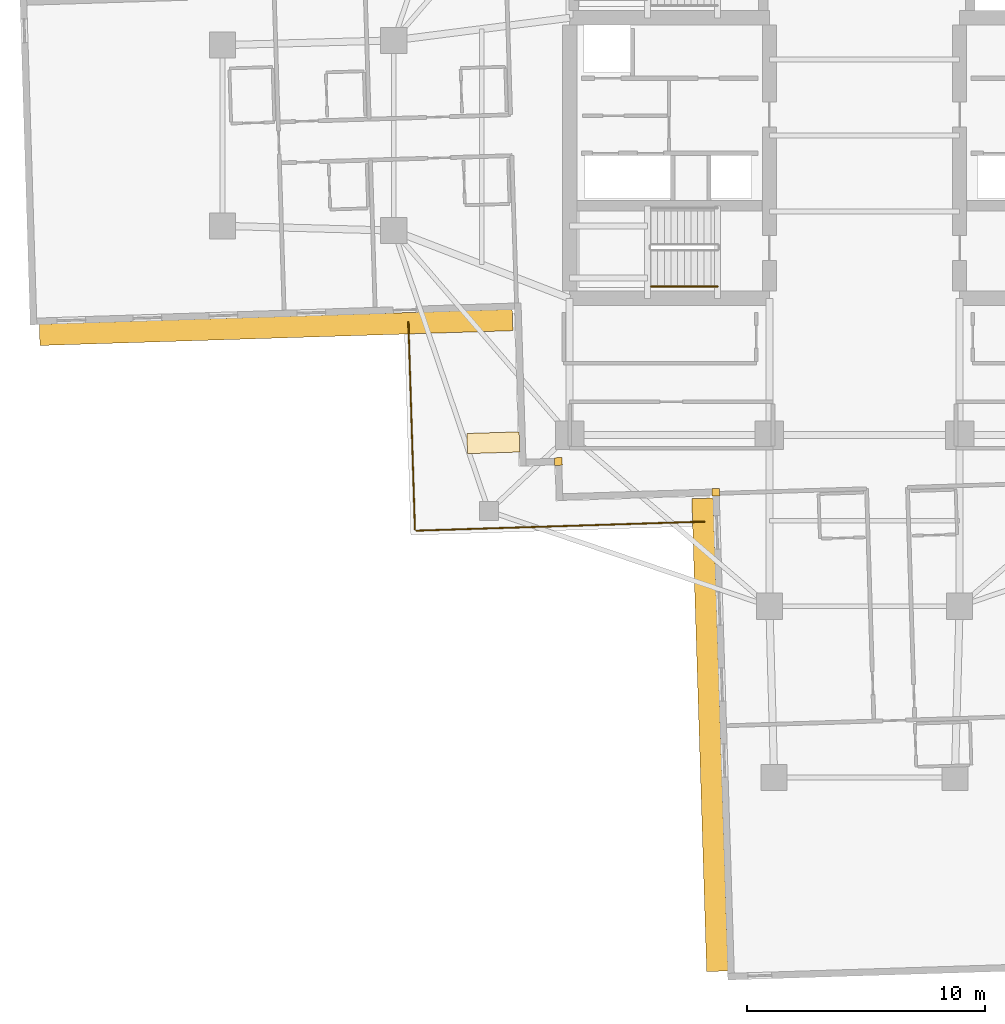
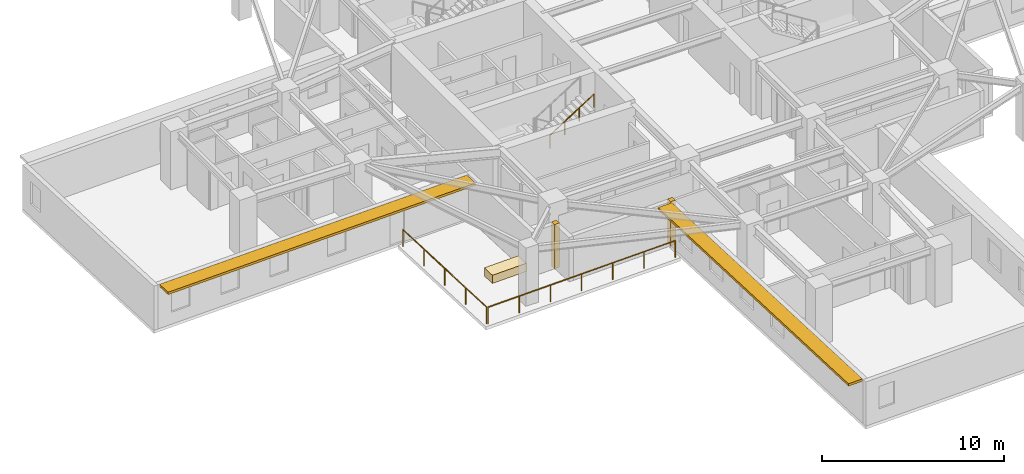
# One storey, part 10 of 14: 3 coverings, 3 railings, 2 shading devices.
"""IFC4 building model written with IfcOpenShell, lengths in metres."""

from ifc_helpers import new_model, si_unit, direction, frame, origin, origin_2d, place, context, subcontext, project, spatial, rectangle, circle, extrude, material, layer, layer_set, type_object, element, save


model = new_model("IFC4")

# Units and contexts
model_context = context("Model", 3, precision=1e-05, world=origin(), true_north=direction((0.0, 1.0)))
body_context = subcontext(model_context, "Body", "Model", "MODEL_VIEW")
ifc_project = project(units=[si_unit("LENGTHUNIT", "METRE"), si_unit("AREAUNIT", "SQUARE_METRE"), si_unit("VOLUMEUNIT", "CUBIC_METRE"), si_unit("PLANEANGLEUNIT", "RADIAN"), si_unit("MASSUNIT", "GRAM", prefix="KILO")], contexts=[model_context])

# Site, building, storey
site_placement = place(None, origin())
site = spatial("IfcSite", under=ifc_project, at=site_placement, CompositionType="ELEMENT")
building_placement = place(site_placement, origin())
building = spatial("IfcBuilding", under=site, at=building_placement, Name="Qingluan Cross Belvedere", CompositionType="ELEMENT")
storey_placement = place(building_placement, frame((0.0, 0.0, 112.5)))
storey = spatial("IfcBuildingStorey", under=building, at=storey_placement, Name="L28", CompositionType="ELEMENT", Elevation=112.5)

# Coverings
ifc_material_1 = material(Name="Precast concrete C45", Category="concrete")
ifc_layer_1 = layer(ifc_material_1, 0.1201171875, Name="ConcreteSpandrelCladding_120")
ifc_layer_set_1 = layer_set([ifc_layer_1], Name="Precast concrete C45")
covering_type_1 = type_object("IfcCoveringType", Name="ConcreteSpandrelCladding_120", PredefinedType="CLADDING", material=ifc_layer_set_1)
for number, where, z_axis, x_axis, name in (
    (1, (-12.875732421875, -13.711181640625, 0.0), (0.0, 0.0, 1.0), (0.999506560366, 0.031410759078, 0.0), "Corner closure L28-SW1"),
    (2, (-6.251708984375, -15.00390625, 0.0), (0.0, 0.0, 1.0), (0.999506560366, 0.031410759078, 0.0), "Corner closure L28-SW2"),
):
    element("IfcCovering", number, at=place(storey_placement, frame(where, z_axis=z_axis, x_axis=x_axis)), inside=storey, type_object=covering_type_1, Name=name, PredefinedType="CLADDING", context=body_context, shape_type="SweptSolid", body=[
        extrude(rectangle(XDim=0.320068359375, YDim=0.320068359375, at=origin_2d()), origin(), (0.0, 0.0, 1.0), 2.969970703125),
    ])

# Shading devices
ifc_material_2 = material(Name="Precast concrete C45", Category="concrete")
ifc_layer_2 = layer(ifc_material_2, 0.159912109375, Name="ConcreteSunshadeBand_900")
ifc_layer_set_2 = layer_set([ifc_layer_2], Name="Precast concrete C45")
shading_device_type = type_object("IfcShadingDeviceType", Name="ConcreteSunshadeBand_900", PredefinedType="USERDEFINED", material=ifc_layer_set_2)
for number, where, z_axis, x_axis, name in (
    (3, (-24.74853515625, -8.0712890625, 2.7900390625), (0.0, 0.0, 1.0), (0.999506649124, 0.031407934627, 0.0), "Concrete SUNSHADE L28-WB"),
    (4, (-6.50146484375, -25.206787109375, 2.7900390625), (0.0, 0.0, 1.0), (0.031407934627, -0.999506649124, 0.0), "Concrete SUNSHADE L28-SA"),
):
    element("IfcShadingDevice", number, at=place(storey_placement, frame(where, z_axis=z_axis, x_axis=x_axis)), inside=storey, type_object=shading_device_type, Name=name, ObjectType="SUNSHADE", PredefinedType="USERDEFINED", context=body_context, shape_type="SweptSolid", body=[
        extrude(rectangle(XDim=19.89990234375, YDim=0.89990234375, at=origin_2d()), origin(), (0.0, 0.0, 1.0), 0.159912109375),
    ])

# Railings
ifc_material_3 = material(Name="Brushed stainless steel tubular handrail", Category="steel")
railing_type_1 = type_object("IfcRailingType", Name="StairPitchHandrail_900", PredefinedType="HANDRAIL", material=ifc_material_3)
railing_1_placement = place(storey_placement, frame((-8.97998046875, -6.35009765625, 2.127197265625)))
element("IfcRailing", 5, at=railing_1_placement, inside=storey, type_object=railing_type_1, Name="L28 ST1 stair handrail 2", PredefinedType="HANDRAIL", context=body_context, shape_type="SweptSolid", body=[
    extrude(circle(Radius=0.02392578125, at=origin_2d()), frame((0.0, 0.0, 0.8759765625), z_axis=(0.844908973607, 0.0, 0.534910110503), x_axis=(0.0, 1.0, 0.0)), (0.0, 0.0, 1.0), 3.31396484375),
    extrude(circle(Radius=0.02099609375, at=origin_2d()), origin(), (0.0, 0.0, 1.0), 0.851806640625),
    extrude(circle(Radius=0.02099609375, at=origin_2d()), frame((0.933349609375, 0.0, 0.5908203125)), (0.0, 0.0, 1.0), 0.851806640625),
    extrude(circle(Radius=0.02099609375, at=origin_2d()), frame((1.86669921875, 0.0, 1.181884765625)), (0.0, 0.0, 1.0), 0.851806640625),
    extrude(circle(Radius=0.02099609375, at=origin_2d()), frame((2.800048828125, 0.0, 1.772705078125)), (0.0, 0.0, 1.0), 0.851806640625),
])
ifc_material_4 = material(Name="Laminated glass and stainless steel balustrade", Category="steel")
railing_type_2 = type_object("IfcRailingType", Name="TerraceGuardBalustrade_1150", PredefinedType="BALUSTRADE", material=ifc_material_4)
railing_2_placement = place(storey_placement, frame((-6.733154296875, -16.239501953125, 0.0)))
element("IfcRailing", 6, at=railing_2_placement, inside=storey, type_object=railing_type_2, Name="Terrace guard L28-1", PredefinedType="BALUSTRADE", context=body_context, shape_type="SweptSolid", body=[
    extrude(circle(Radius=0.02392578125, at=origin_2d()), frame((0.0, 0.0, 1.1259765625), z_axis=(-0.999506795162, -0.031403286853, 0.0), x_axis=(0.031403286853, -0.999506795162, 0.0)), (0.0, 0.0, 1.0), 12.1201171875),
    extrude(circle(Radius=0.02099609375, at=origin_2d()), origin(), (0.0, 0.0, 1.0), 1.101806640625),
    extrude(circle(Radius=0.02099609375, at=origin_2d()), frame((-2.01904296875, -0.0634765625, 0.0)), (0.0, 0.0, 1.0), 1.101806640625),
    extrude(circle(Radius=0.02099609375, at=origin_2d()), frame((-4.0380859375, -0.126953125, 0.0)), (0.0, 0.0, 1.0), 1.101806640625),
    extrude(circle(Radius=0.02099609375, at=origin_2d()), frame((-6.05712890625, -0.1904296875, 0.0)), (0.0, 0.0, 1.0), 1.101806640625),
    extrude(circle(Radius=0.02099609375, at=origin_2d()), frame((-8.076171875, -0.253662109375, 0.0)), (0.0, 0.0, 1.0), 1.101806640625),
    extrude(circle(Radius=0.02099609375, at=origin_2d()), frame((-10.09521484375, -0.317138671875, 0.0)), (0.0, 0.0, 1.0), 1.101806640625),
    extrude(circle(Radius=0.02099609375, at=origin_2d()), frame((-12.1142578125, -0.380615234375, 0.0)), (0.0, 0.0, 1.0), 1.101806640625),
])
railing_3_placement = place(storey_placement, frame((-18.9091796875, -16.562255859375, 0.0)))
element("IfcRailing", 7, at=railing_3_placement, inside=storey, type_object=railing_type_2, Name="Terrace guard L28-2", PredefinedType="BALUSTRADE", context=body_context, shape_type="SweptSolid", body=[
    extrude(circle(Radius=0.02392578125, at=origin_2d()), frame((0.0, 0.0, 1.1259765625), z_axis=(-0.031413061052, 0.999506488021, 0.0), x_axis=(-0.999506488021, -0.031413061052, 0.0)), (0.0, 0.0, 1.0), 8.72021484375),
    extrude(circle(Radius=0.02099609375, at=origin_2d()), origin(), (0.0, 0.0, 1.0), 1.101806640625),
    extrude(circle(Radius=0.02099609375, at=origin_2d()), frame((-0.068359375, 2.178955078125, 0.0)), (0.0, 0.0, 1.0), 1.101806640625),
    extrude(circle(Radius=0.02099609375, at=origin_2d()), frame((-0.136962890625, 4.35791015625, 0.0)), (0.0, 0.0, 1.0), 1.101806640625),
    extrude(circle(Radius=0.02099609375, at=origin_2d()), frame((-0.20556640625, 6.536865234375, 0.0)), (0.0, 0.0, 1.0), 1.101806640625),
    extrude(circle(Radius=0.02099609375, at=origin_2d()), frame((-0.27392578125, 8.7158203125, 0.0)), (0.0, 0.0, 1.0), 1.101806640625),
])

# Covering
ifc_material_5 = material(Name="Precast concrete C40", Category="concrete")
ifc_layer_3 = layer(ifc_material_5, 0.550048828125, Name="TerracePlanterBox")
ifc_layer_set_3 = layer_set([ifc_layer_3], Name="Precast concrete C40")
covering_type_2 = type_object("IfcCoveringType", Name="TerracePlanterBox", PredefinedType="USERDEFINED", material=ifc_layer_set_3)
covering_placement = place(storey_placement, frame((-15.611083984375, -12.922119140625, 0.0), z_axis=(0.0, 0.0, 1.0), x_axis=(0.999506560366, 0.031410759078, 0.0)))
element("IfcCovering", 8, at=covering_placement, inside=storey, type_object=covering_type_2, Name="Spiralling winter-garden planter L28", ObjectType="PLANTER", PredefinedType="USERDEFINED", context=body_context, shape_type="SweptSolid", body=[
    extrude(rectangle(XDim=2.199951171875, YDim=0.85009765625, at=origin_2d()), origin(), (0.0, 0.0, 1.0), 0.550048828125),
])

save(model, "model.ifc")
